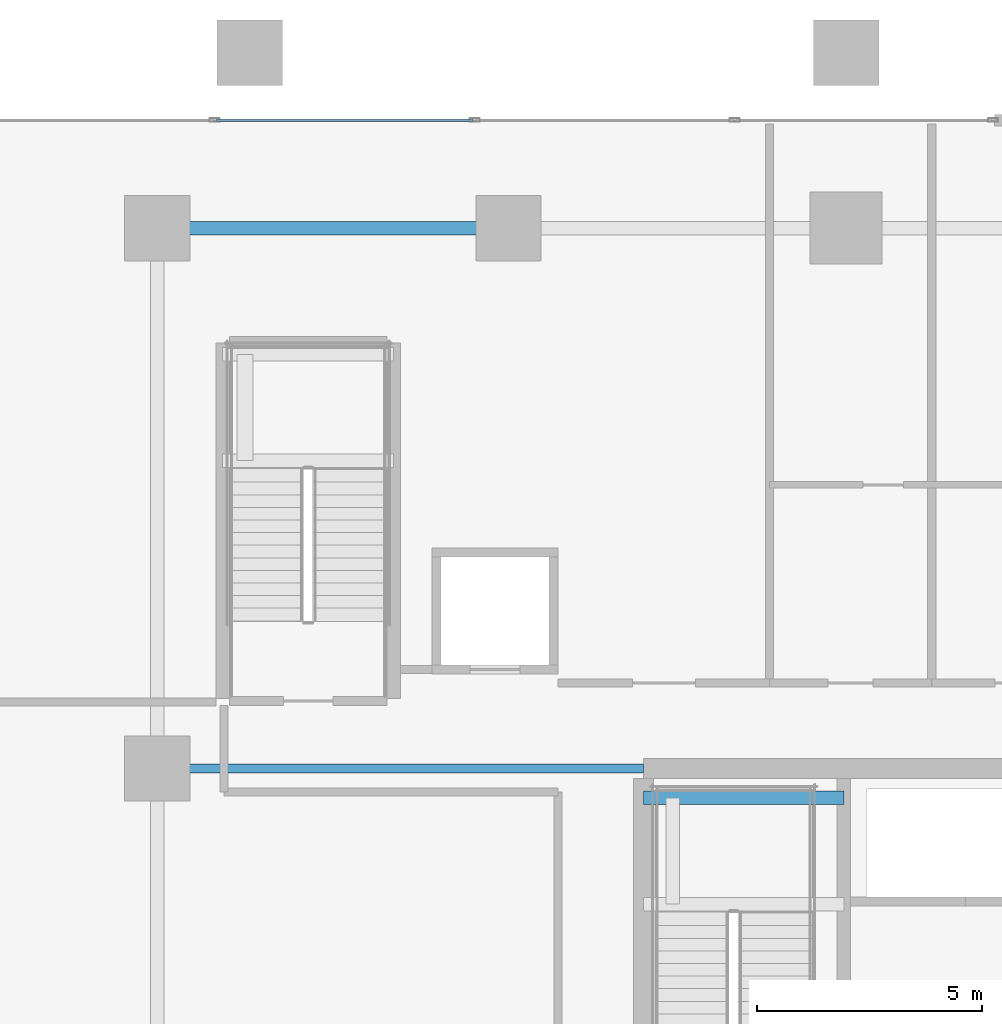
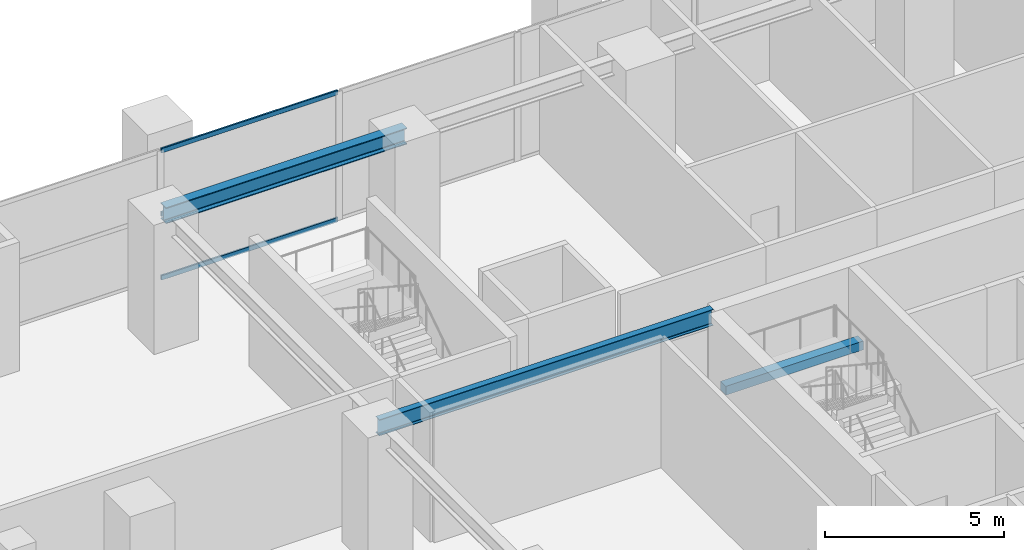
# One storey, part 7 of 20: 3 beams, 3 members, 1 element without a shape of its own.
"""IFC4 building model written with IfcOpenShell, lengths in metres."""

import ifcopenshell
import ifcopenshell.guid

model = None  # the IFC model being written
_history = None  # IfcOwnerHistory: only IFC2X3 demands one
_inside = {}  # id of a spatial element -> (the spatial element, [elements in it])
_under = {}  # id of a project, library or spatial element -> (it, [spatial elements below it])
_declared = {}  # id of a project -> (the project, [libraries it declares])
_typed = {}  # id of a type object -> (the type object, [elements of that type])
_made_of = {}  # id of a material, layer set ... -> (it, [elements and type objects made of it])


def new_model(schema):
    """Start an empty IFC model of exactly this schema.

    Asked for "IFC4X3", IfcOpenShell would pick the latest addendum, in which some entities
    have other attributes; the version numbers below select the first issue.
    IFC2X3 requires an IfcOwnerHistory on every rooted entity: one is made here for all.
    """
    global model, _history
    if schema == "IFC4X3":
        model = ifcopenshell.file(schema_version=(4, 3, 0, 0))
    else:
        model = ifcopenshell.file(schema=schema)
    _inside.clear()
    _under.clear()
    _declared.clear()
    _typed.clear()
    _made_of.clear()
    _history = None
    if model.schema == "IFC2X3":
        org = make("IfcOrganization", Name="unknown")
        user = make(
            "IfcPersonAndOrganization",
            ThePerson=make("IfcPerson", FamilyName="unknown"),
            TheOrganization=org,
        )
        app = make(
            "IfcApplication",
            ApplicationDeveloper=org,
            Version="unknown",
            ApplicationFullName="unknown",
            ApplicationIdentifier="unknown",
        )
        _history = make(
            "IfcOwnerHistory",
            OwningUser=user,
            OwningApplication=app,
            ChangeAction="ADDED",
            CreationDate=0,
        )
    return model


def make(cls, **values):
    """One entity of the class cls with the attributes given. An attribute that is None is left unset."""
    return model.create_entity(
        cls, **{name: value for name, value in values.items() if value is not None}
    )


def rooted(cls, **values):
    """An entity with a GlobalId (a new one), such as an element, a storey or a relation."""
    return make(cls, GlobalId=ifcopenshell.guid.new(), OwnerHistory=_history, **values)


def si_unit(unit_type, name, prefix=None):
    """IfcSIUnit, for example si_unit("LENGTHUNIT", "METRE", prefix="MILLI")."""
    return make("IfcSIUnit", UnitType=unit_type, Prefix=prefix, Name=name)


def assignment(units):
    """IfcUnitAssignment: the units of a project."""
    return None if units is None else make("IfcUnitAssignment", Units=units)


def point(xyz):
    """IfcCartesianPoint."""
    return None if xyz is None else make("IfcCartesianPoint", Coordinates=xyz)


def direction(xyz):
    """IfcDirection."""
    return None if xyz is None else make("IfcDirection", DirectionRatios=xyz)


def frame(location, z_axis=None, x_axis=None):
    """IfcAxis2Placement3D, a coordinate frame: its origin and axes. An axis left out is left unset."""
    return make(
        "IfcAxis2Placement3D",
        Location=point(location),
        Axis=direction(z_axis),
        RefDirection=direction(x_axis),
    )


def frame_2d(location, x_axis=None):
    """IfcAxis2Placement2D, a coordinate frame in the plane: its origin and x axis."""
    return make(
        "IfcAxis2Placement2D", Location=point(location), RefDirection=direction(x_axis)
    )


def origin():
    """The frame at (0, 0, 0) with its axes left unset."""
    return frame((0.0, 0.0, 0.0))


def origin_2d():
    """The frame at (0, 0) in the plane with its x axis left unset."""
    return frame_2d((0.0, 0.0))


def place(relative_to, where):
    """IfcLocalPlacement: puts the frame where relative to a parent placement (None: the world)."""
    return make(
        "IfcLocalPlacement", PlacementRelTo=relative_to, RelativePlacement=where
    )


def context(
    kind, dimensions, precision=None, world=None, true_north=None, identifier=None
):
    """IfcGeometricRepresentationContext, for example the 3D "Model" context."""
    return make(
        "IfcGeometricRepresentationContext",
        ContextIdentifier=identifier,
        ContextType=kind,
        CoordinateSpaceDimension=dimensions,
        Precision=precision,
        WorldCoordinateSystem=world,
        TrueNorth=true_north,
    )


def subcontext(parent, identifier, kind, view, scale=None):
    """IfcGeometricRepresentationSubContext, for example "Body" below "Model"."""
    return make(
        "IfcGeometricRepresentationSubContext",
        ContextIdentifier=identifier,
        ContextType=kind,
        ParentContext=parent,
        TargetScale=scale,
        TargetView=view,
    )


def project(units=None, contexts=None):
    """IfcProject with its units and contexts."""
    return rooted(
        "IfcProject",
        Name="project",
        RepresentationContexts=contexts,
        UnitsInContext=assignment(units),
    )


def spatial(cls, under=None, at=None, **own):
    """A site, building, storey or space (cls), placed at a placement, below another one or the project."""
    s = rooted(cls, ObjectPlacement=at, **own)
    if under is not None:
        _under.setdefault(under.id(), (under, []))[1].append(s)
    return s


def profile(cls, at=None, kind="AREA", **sizes):
    """A parametric profile (cls). Its sizes go by their IFC names, for example OverallWidth=200.0."""
    return make(cls, ProfileType=kind, Position=at, **sizes)


def rectangle(**sizes):
    """IfcRectangleProfileDef."""
    return profile("IfcRectangleProfileDef", **sizes)


def hollow_rectangle(**sizes):
    """IfcRectangleHollowProfileDef."""
    return profile("IfcRectangleHollowProfileDef", **sizes)


def i_section(**sizes):
    """IfcIShapeProfileDef."""
    return profile("IfcIShapeProfileDef", **sizes)


def extrude(swept, where, along, depth):
    """IfcExtrudedAreaSolid: the profile swept, set in the frame where, extruded along a direction by depth."""
    return make(
        "IfcExtrudedAreaSolid",
        SweptArea=swept,
        Position=where,
        ExtrudedDirection=direction(along),
        Depth=depth,
    )


def shape(context_of_items, identifier, shape_type, items):
    """IfcShapeRepresentation: the items that make up one representation, for example the "Body"."""
    return make(
        "IfcShapeRepresentation",
        ContextOfItems=context_of_items,
        RepresentationIdentifier=identifier,
        RepresentationType=shape_type,
        Items=items,
    )


def source(mapping_origin, context_of_items, identifier, shape_type, items):
    """IfcRepresentationMap: a shape defined once, which mapped items show again and again."""
    return make(
        "IfcRepresentationMap",
        MappingOrigin=mapping_origin,
        MappedRepresentation=shape(context_of_items, identifier, shape_type, items),
    )


def transform(
    local_origin,
    x_axis=None,
    y_axis=None,
    z_axis=None,
    scale=None,
    scale2=None,
    scale3=None,
    uniform=True,
):
    """IfcCartesianTransformationOperator3D, or its non-uniform kind. x_axis, y_axis, z_axis: its Axis1, 2, 3."""
    if uniform:
        return make(
            "IfcCartesianTransformationOperator3D",
            Axis1=direction(x_axis),
            Axis2=direction(y_axis),
            LocalOrigin=point(local_origin),
            Scale=scale,
            Axis3=direction(z_axis),
        )
    return make(
        "IfcCartesianTransformationOperator3DnonUniform",
        Axis1=direction(x_axis),
        Axis2=direction(y_axis),
        LocalOrigin=point(local_origin),
        Scale=scale,
        Axis3=direction(z_axis),
        Scale2=scale2,
        Scale3=scale3,
    )


def mapped(mapping_source, mapping_target):
    """IfcMappedItem: shows the shape of a source again, moved by a transform."""
    return make(
        "IfcMappedItem", MappingSource=mapping_source, MappingTarget=mapping_target
    )


def material(Name=None, Category=None):
    """IfcMaterial."""
    return make("IfcMaterial", Name=Name, Category=Category)


def layer(
    of_material, thickness, ventilated=None, Name=None, Category=None, Priority=None
):
    """IfcMaterialLayer: one layer of a wall or slab, of a material (None: an air gap)."""
    return make(
        "IfcMaterialLayer",
        Material=of_material,
        LayerThickness=thickness,
        IsVentilated=ventilated,
        Name=Name,
        Category=Category,
        Priority=Priority,
    )


def layer_set(layers, Name=None):
    """IfcMaterialLayerSet."""
    return make("IfcMaterialLayerSet", MaterialLayers=layers, LayerSetName=Name)


def material_profile(
    of_material, cross_section, Name=None, Category=None, Priority=None
):
    """IfcMaterialProfile: a cross section and its material."""
    return make(
        "IfcMaterialProfile",
        Name=Name,
        Material=of_material,
        Profile=cross_section,
        Priority=Priority,
        Category=Category,
    )


def profile_set(profiles, Name=None, composite=None):
    """IfcMaterialProfileSet."""
    return make(
        "IfcMaterialProfileSet",
        Name=Name,
        MaterialProfiles=profiles,
        CompositeProfile=composite,
    )


def made_of(thing, what):
    """Note that an element or type object is made of a material, layer set ...; save() writes the relation."""
    if what is not None:
        _made_of.setdefault(what.id(), (what, []))[1].append(thing)
    return thing


def type_object(cls, material=None, **own):
    """A type object (cls), such as IfcWallType, which elements share."""
    return made_of(rooted(cls, **own), material)


def element(
    cls,
    number,
    at=None,
    inside=None,
    cuts=None,
    type_object=None,
    material=None,
    context=None,
    identifier="Body",
    shape_type=None,
    held_by="IfcProductDefinitionShape",
    body=None,
    shapes=None,
    **own,
):
    """One element of the class cls, such as IfcWall. Its Tag is "e" and its number.

    at: its placement. inside: the storey or other place that contains it. cuts: it is an
    opening in that element (IfcRelVoidsElement). A single representation is given by context,
    identifier, shape_type and body (its items); several are given by shapes. held_by: the class
    of the entity that holds the representations. save() writes the other relations.
    """
    e = rooted(cls, Tag="e%d" % number, ObjectPlacement=at, **own)
    if body is not None:
        shapes = [shape(context, identifier, shape_type, body)]
    if shapes is not None:
        e.Representation = make(held_by, Representations=shapes)
    if inside is not None:
        _inside.setdefault(inside.id(), (inside, []))[1].append(e)
    if cuts is not None:
        rooted(
            "IfcRelVoidsElement", RelatingBuildingElement=cuts, RelatedOpeningElement=e
        )
    if type_object is not None:
        _typed.setdefault(type_object.id(), (type_object, []))[1].append(e)
    return made_of(e, material)


def aggregate(whole, parts):
    """IfcRelAggregates: a whole, such as a stair, and the parts it consists of."""
    return rooted("IfcRelAggregates", RelatingObject=whole, RelatedObjects=parts)


def save(model, path):
    """Write the relations noted so far, then the file.

    IfcRelAggregates (storeys below a building ...), IfcRelContainedInSpatialStructure (elements
    in a storey), IfcRelDefinesByType, IfcRelAssociatesMaterial and IfcRelDeclares: one each for
    every whole, place, type object, material and project.
    """
    for whole, parts in _under.values():
        aggregate(whole, parts)
    for where, things in _inside.values():
        rooted(
            "IfcRelContainedInSpatialStructure",
            RelatedElements=things,
            RelatingStructure=where,
        )
    for kind, things in _typed.values():
        rooted("IfcRelDefinesByType", RelatedObjects=things, RelatingType=kind)
    for what, things in _made_of.values():
        rooted("IfcRelAssociatesMaterial", RelatedObjects=things, RelatingMaterial=what)
    for by, libraries in _declared.values():
        rooted("IfcRelDeclares", RelatingContext=by, RelatedDefinitions=libraries)
    model.write(path)


model = new_model("IFC4")

# Units and contexts
model_context = context("Model", 3, precision=1e-05, world=origin(), true_north=direction((0.0, 1.0)))
body_context = subcontext(model_context, "Body", "Model", "MODEL_VIEW")
ifc_project = project(units=[si_unit("LENGTHUNIT", "METRE"), si_unit("AREAUNIT", "SQUARE_METRE"), si_unit("VOLUMEUNIT", "CUBIC_METRE"), si_unit("PLANEANGLEUNIT", "RADIAN"), si_unit("MASSUNIT", "GRAM", prefix="KILO")], contexts=[model_context])

# Site, building, storey
site_placement = place(None, origin())
site = spatial("IfcSite", under=ifc_project, at=site_placement, CompositionType="ELEMENT")
building_placement = place(site_placement, origin())
building = spatial("IfcBuilding", under=site, at=building_placement, Name="Serunith Strait Residences", CompositionType="ELEMENT")
storey_placement = place(building_placement, frame((0.0, 0.0, 10.5)))
storey = spatial("IfcBuildingStorey", under=building, at=storey_placement, Name="L02", CompositionType="ELEMENT", Elevation=10.5)

# Beams
ifc_material_1 = material(Name="Steel S355J2", Category="steel")
ifc_material_profile_1 = material_profile(ifc_material_1, i_section(OverallWidth=0.300048828125, OverallDepth=0.550048828125, WebThickness=0.014892578125, FlangeThickness=0.029052734375, FilletRadius=0.027099609375, at=origin_2d()), Name="HEB 550")
ifc_profile_set_1 = profile_set([ifc_material_profile_1], Name="Steel S355J2")
beam_type_1 = type_object("IfcBeamType", Name="BM-HEB550", PredefinedType="BEAM", material=ifc_profile_set_1)
shared_shape_1 = source(origin(), body_context, "Body", "SweptSolid", [
    extrude(i_section(OverallWidth=0.300048828125, OverallDepth=0.550048828125, WebThickness=0.014892578125, FlangeThickness=0.029052734375, FilletRadius=0.027099609375, at=origin_2d()), origin(), (0.0, 0.0, 1.0), 7.7998046875),
])
beam_1_placement = place(storey_placement, frame((12.60009765625, 45.60009765625, 4.14208984375), z_axis=(1.0, 0.0, 0.0), x_axis=(0.0, 1.0, 0.0)))
element("IfcBeam", 1, at=beam_1_placement, inside=storey, type_object=beam_type_1, Name="BM-L02-06", PredefinedType="BEAM", context=body_context, shape_type="MappedRepresentation", body=[
    mapped(shared_shape_1, transform((0.0, 0.0, 0.0), scale=1.0)),
])
ifc_material_profile_2 = material_profile(ifc_material_1, i_section(OverallWidth=0.2099609375, OverallDepth=0.550048828125, WebThickness=0.010986328125, FlangeThickness=0.01708984375, FilletRadius=0.02392578125, at=origin_2d()), Name="IPE 550")
ifc_profile_set_2 = profile_set([ifc_material_profile_2], Name="Steel S355J2")
beam_type_2 = type_object("IfcBeamType", Name="BM-IPE550", PredefinedType="BEAM", material=ifc_profile_set_2)
shared_shape_2 = source(origin(), body_context, "Body", "SweptSolid", [
    extrude(i_section(OverallWidth=0.2099609375, OverallDepth=0.550048828125, WebThickness=0.010986328125, FlangeThickness=0.01708984375, FilletRadius=0.02392578125, at=origin_2d()), origin(), (0.0, 0.0, 1.0), 10.7998046875),
])
beam_2_placement = place(storey_placement, frame((12.60009765625, 33.60009765625, 4.14208984375), z_axis=(1.0, 0.0, 0.0), x_axis=(0.0, 1.0, 0.0)))
element("IfcBeam", 2, at=beam_2_placement, inside=storey, type_object=beam_type_2, Name="BM-L02-21", PredefinedType="BEAM", context=body_context, shape_type="MappedRepresentation", body=[
    mapped(shared_shape_2, transform((0.0, 0.0, 0.0), scale=1.0)),
])
ifc_material_2 = material(Name="Concrete C60/75", Category="concrete")
ifc_material_profile_3 = material_profile(ifc_material_2, rectangle(XDim=0.300048828125, YDim=0.300048828125, at=origin_2d()), Name="RC 300x300")
ifc_profile_set_3 = profile_set([ifc_material_profile_3], Name="Concrete C60/75")
beam_type_3 = type_object("IfcBeamType", Name="BM-LAND-300x300", PredefinedType="BEAM", material=ifc_profile_set_3)
shared_shape_3 = source(origin(), body_context, "Body", "SweptSolid", [
    extrude(rectangle(XDim=0.300048828125, YDim=0.300048828125, at=origin_2d()), origin(), (0.0, 0.0, 1.0), 4.4501953125),
])
beam_3_placement = place(storey_placement, frame((23.39990234375, 32.949951171875, 2.050048828125), z_axis=(1.0, 0.0, 0.0), x_axis=(0.0, 1.0, 0.0)))
element("IfcBeam", 3, at=beam_3_placement, inside=storey, type_object=beam_type_3, Name="L02 ST-1 Landing Support Beam 2", PredefinedType="BEAM", context=body_context, shape_type="MappedRepresentation", body=[
    mapped(shared_shape_3, transform((0.0, 0.0, 0.0), scale=1.0)),
])

# Curtain wall, members
ifc_material_3 = material(Name="Pale-Champagne Anodised Aluminium", Category="aluminium")
ifc_layer = layer(ifc_material_3, 0.199951171875, Name="Pale-Champagne Anodised Aluminium")
ifc_layer_set = layer_set([ifc_layer], Name="Pale-Champagne Anodised Aluminium")
curtain_wall_type = type_object("IfcCurtainWallType", Name="CW-SYS6", PredefinedType="NOTDEFINED", material=ifc_layer_set)
curtain_wall_placement = place(storey_placement, origin())
curtain_wall = element("IfcCurtainWall", 4, at=curtain_wall_placement, inside=storey, type_object=curtain_wall_type, Name="L02 Podium Galleria Curtain Wall 9B", PredefinedType="NOTDEFINED")
ifc_material_profile_4 = material_profile(ifc_material_3, hollow_rectangle(XDim=0.06005859375, YDim=0.159912109375, WallThickness=0.00341796875, InnerFilletRadius=0.00537109375, OuterFilletRadius=0.0087890625, at=origin_2d()), Name="ALU 160x60x3.5")
ifc_profile_set_4 = profile_set([ifc_material_profile_4], Name="Pale-Champagne Anodised Aluminium")
member_type = type_object("IfcMemberType", Name="CW-SYS6-TRAN", PredefinedType="USERDEFINED", material=ifc_profile_set_4)
shared_shape_4 = source(origin(), body_context, "Body", "SweptSolid", [
    extrude(hollow_rectangle(XDim=0.06005859375, YDim=0.159912109375, WallThickness=0.00341796875, InnerFilletRadius=0.00537109375, OuterFilletRadius=0.0087890625, at=origin_2d()), origin(), (0.0, 0.0, 1.0), 5.699951171875),
])
member_1_placement = place(storey_placement, frame((19.612548828125, 48.0, 0.030029296875), z_axis=(-1.0, 0.0, 0.0), x_axis=(0.0, -1.0, 0.0)))
member_1 = element("IfcMember", 5, at=member_1_placement, type_object=member_type, Name="CW-6 transom 3.1", ObjectType="TRANSOM", PredefinedType="USERDEFINED", context=body_context, shape_type="MappedRepresentation", body=[
    mapped(shared_shape_4, transform((0.0, 0.0, 0.0), scale=1.0)),
])
member_2_placement = place(storey_placement, frame((19.612548828125, 48.0, 2.202392578125), z_axis=(-1.0, 0.0, 0.0), x_axis=(0.0, -1.0, 0.0)))
member_2 = element("IfcMember", 6, at=member_2_placement, type_object=member_type, Name="CW-6 transom 3.2", ObjectType="TRANSOM", PredefinedType="USERDEFINED", context=body_context, shape_type="MappedRepresentation", body=[
    mapped(shared_shape_4, transform((0.0, 0.0, 0.0), scale=1.0)),
])
member_3_placement = place(storey_placement, frame((19.612548828125, 48.0, 4.375), z_axis=(-1.0, 0.0, 0.0), x_axis=(0.0, -1.0, 0.0)))
member_3 = element("IfcMember", 7, at=member_3_placement, type_object=member_type, Name="CW-6 transom 3.3", ObjectType="TRANSOM", PredefinedType="USERDEFINED", context=body_context, shape_type="MappedRepresentation", body=[
    mapped(shared_shape_4, transform((0.0, 0.0, 0.0), scale=1.0)),
])
aggregate(curtain_wall, [member_1, member_2, member_3])

save(model, "model.ifc")
